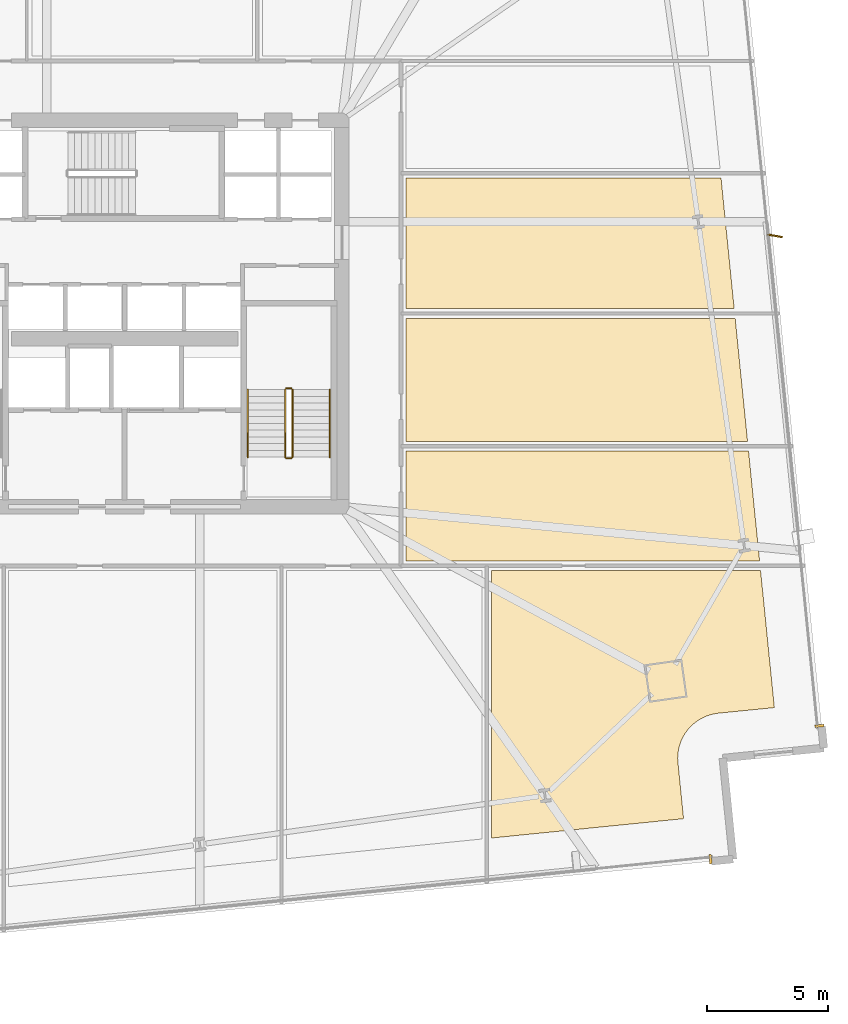
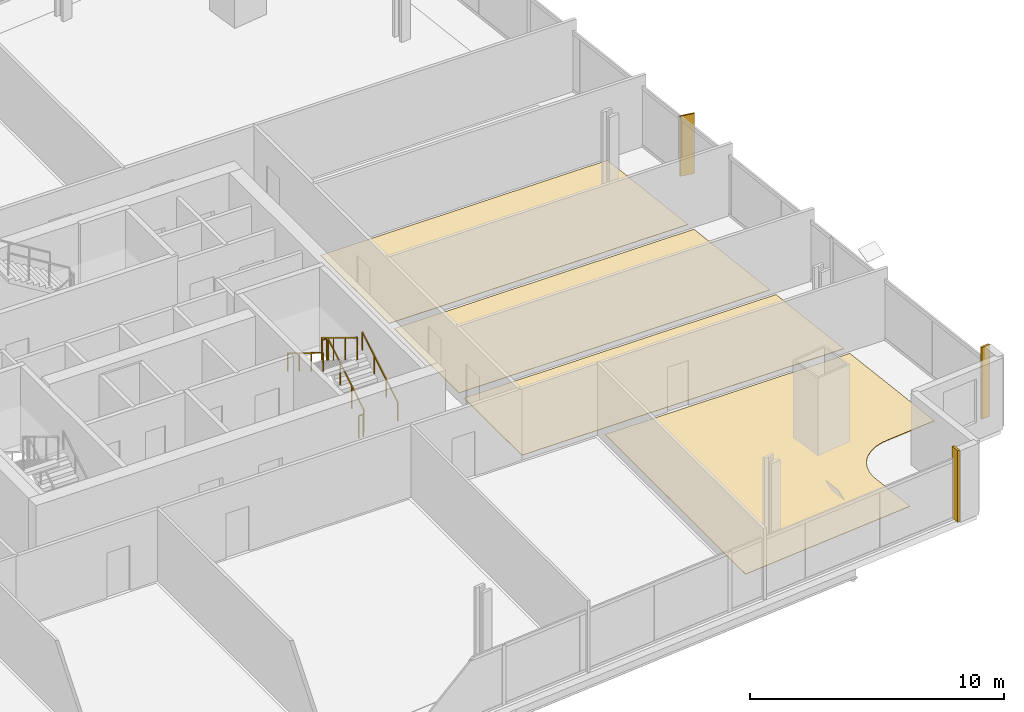
# One storey, part 31 of 33: 6 coverings, 6 railings, 1 shading device.
"""IFC4 building model written with IfcOpenShell, lengths in metres."""

from ifc_helpers import new_model, si_unit, direction, frame, origin, origin_2d, place, context, subcontext, project, spatial, polyline, rectangle, outline, extrude, source, transform, mapped, material, layer, layer_set, type_object, element, save


model = new_model("IFC4")

# Units and contexts
model_context = context("Model", 3, precision=1e-05, world=origin(), true_north=direction((0.0, 1.0)))
body_context = subcontext(model_context, "Body", "Model", "MODEL_VIEW")
ifc_project = project(units=[si_unit("LENGTHUNIT", "METRE"), si_unit("AREAUNIT", "SQUARE_METRE"), si_unit("VOLUMEUNIT", "CUBIC_METRE"), si_unit("PLANEANGLEUNIT", "RADIAN"), si_unit("MASSUNIT", "GRAM", prefix="KILO")], contexts=[model_context])

# Site, building, storey
site_placement = place(None, origin())
site = spatial("IfcSite", under=ifc_project, at=site_placement, CompositionType="ELEMENT")
building_placement = place(site_placement, origin())
building = spatial("IfcBuilding", under=site, at=building_placement, Name="Haldenkirk Collegiate Tower", CompositionType="ELEMENT")
storey_placement = place(building_placement, frame((0.0, 0.0, 47.699951171875)))
storey = spatial("IfcBuildingStorey", under=building, at=storey_placement, Name="L10", CompositionType="ELEMENT", Elevation=47.699951171875)

# Coverings
ifc_material_1 = material(Name="Polished collegiate terrazzo", Category="concrete")
ifc_layer_1 = layer(ifc_material_1, 0.02490234375)
ifc_layer_set_1 = layer_set([ifc_layer_1], Name="Polished collegiate terrazzo")
covering_type_1 = type_object("IfcCoveringType", Name="COV-FLOOR-TERRAZZO", PredefinedType="FLOORING", material=ifc_layer_set_1)
covering_1_placement = place(storey_placement, origin())
element("IfcCovering", 1, at=covering_1_placement, inside=storey, type_object=covering_type_1, Name="L10 academic room finish 06", PredefinedType="FLOORING", context=body_context, shape_type="SweptSolid", body=[
    extrude(outline(polyline([(62.900146484375, 9.68310546875), (60.581787109375, 9.449462890625), (60.575927734375, 9.44873046875), (60.406005859375, 9.423095703125), (60.39453125, 9.4208984375), (60.22802734375, 9.378662109375), (60.216796875, 9.375244140625), (60.055419921875, 9.317138671875), (60.04443359375, 9.3125), (59.889404296875, 9.239013671875), (59.87890625, 9.2333984375), (59.731689453125, 9.14453125), (59.72216796875, 9.137939453125), (59.58447265625, 9.035400390625), (59.5751953125, 9.02783203125), (59.4482421875, 8.912353515625), (59.43994140625, 8.904052734375), (59.324951171875, 8.776611328125), (59.3173828125, 8.767333984375), (59.215576171875, 8.62939453125), (59.208984375, 8.619384765625), (59.120849609375, 8.471923828125), (59.115478515625, 8.46142578125), (59.04248046875, 8.30615234375), (59.037841796875, 8.29541015625), (58.980224609375, 8.13330078125), (58.976806640625, 8.1220703125), (58.935546875, 7.95556640625), (58.933349609375, 7.94384765625), (58.90869140625, 7.77392578125), (58.907470703125, 7.76220703125), (58.8994140625, 7.5908203125), (58.8994140625, 7.5791015625), (58.908203125, 7.407470703125), (58.90869140625, 7.401611328125), (59.14208984375, 5.08349609375), (51.199951171875, 4.28369140625), (51.199951171875, 15.35009765625), (62.32958984375, 15.35009765625), (62.900146484375, 9.68310546875)])), origin(), (0.0, 0.0, 1.0), 0.025146484375),
])
covering_2_placement = place(storey_placement, origin())
element("IfcCovering", 2, at=covering_2_placement, inside=storey, type_object=covering_type_1, Name="L10 academic room finish 10", PredefinedType="FLOORING", context=body_context, shape_type="SweptSolid", body=[
    extrude(outline(polyline([(62.289306640625, 15.75), (47.64990234375, 15.75), (47.64990234375, 20.300048828125), (61.8310546875, 20.300048828125), (62.289306640625, 15.75)])), origin(), (0.0, 0.0, 1.0), 0.025146484375),
])
covering_3_placement = place(storey_placement, origin())
element("IfcCovering", 3, at=covering_3_placement, inside=storey, type_object=covering_type_1, Name="L10 academic room finish 12", PredefinedType="FLOORING", context=body_context, shape_type="SweptSolid", body=[
    extrude(outline(polyline([(61.237060546875, 26.199951171875), (47.64990234375, 26.199951171875), (47.64990234375, 31.60009765625), (60.693359375, 31.60009765625), (61.237060546875, 26.199951171875)])), origin(), (0.0, 0.0, 1.0), 0.025146484375),
])
ifc_material_2 = material(Name="Engineered collegiate oak acoustic flooring", Category="wood")
ifc_layer_2 = layer(ifc_material_2, 0.02197265625)
ifc_layer_set_2 = layer_set([ifc_layer_2], Name="Engineered collegiate oak acoustic flooring")
covering_type_2 = type_object("IfcCoveringType", Name="COV-FLOOR-TIMBER", PredefinedType="FLOORING", material=ifc_layer_set_2)
covering_4_placement = place(storey_placement, origin())
element("IfcCovering", 4, at=covering_4_placement, inside=storey, type_object=covering_type_2, Name="L10 academic room finish 11", PredefinedType="FLOORING", context=body_context, shape_type="SweptSolid", body=[
    extrude(outline(polyline([(61.790771484375, 20.699951171875), (47.64990234375, 20.699951171875), (47.64990234375, 25.800048828125), (61.27734375, 25.800048828125), (61.790771484375, 20.699951171875)])), origin(), (0.0, 0.0, 1.0), 0.02197265625),
])

# Railings
ifc_material_3 = material(Name="Painted architectural tubular steel", Category="steel")
railing_type_1 = type_object("IfcRailingType", Name="RLG-STAIR-GUARD-1100", PredefinedType="BALUSTRADE", material=ifc_material_3)
railing_1_placement = place(storey_placement, frame((42.949951171875, 20.050048828125, 0.17041015625)))
element("IfcRailing", 5, at=railing_1_placement, inside=storey, type_object=railing_type_1, Name="L10 ST-2 stair guard 1", PredefinedType="BALUSTRADE", context=body_context, shape_type="SweptSolid", body=[
    extrude(rectangle(XDim=0.048095703125, YDim=0.048095703125, at=origin_2d()), frame((0.0, 0.0, 1.076171875), z_axis=(0.0, 0.854169791009, 0.51999420009), x_axis=(-1.0, 0.0, 0.0)), (0.0, 0.0, 1.0), 3.278076171875),
    extrude(rectangle(XDim=0.0419921875, YDim=0.0419921875, at=origin_2d()), origin(), (0.0, 0.0, 1.0), 1.052001953125),
    extrude(rectangle(XDim=0.0419921875, YDim=0.0419921875, at=origin_2d()), frame((0.0, 0.933349609375, 0.568115234375)), (0.0, 0.0, 1.0), 1.052001953125),
    extrude(rectangle(XDim=0.0419921875, YDim=0.0419921875, at=origin_2d()), frame((0.0, 1.86669921875, 1.136474609375)), (0.0, 0.0, 1.0), 1.052001953125),
    extrude(rectangle(XDim=0.0419921875, YDim=0.0419921875, at=origin_2d()), frame((0.0, 2.800048828125, 1.70458984375)), (0.0, 0.0, 1.0), 1.052001953125),
])
railing_2_placement = place(storey_placement, frame((42.89990234375, 22.89990234375, 1.875)))
element("IfcRailing", 6, at=railing_2_placement, inside=storey, type_object=railing_type_1, Name="L10 ST-2 stair guard 2", PredefinedType="BALUSTRADE", context=body_context, shape_type="SweptSolid", body=[
    extrude(rectangle(XDim=0.048095703125, YDim=0.048095703125, at=origin_2d()), frame((0.0, 0.0, 1.076171875), z_axis=(-1.0, 0.0, 0.0), x_axis=(0.0, -1.0, 0.0)), (0.0, 0.0, 1.0), 0.199951171875),
    extrude(rectangle(XDim=0.0419921875, YDim=0.0419921875, at=origin_2d()), origin(), (0.0, 0.0, 1.0), 1.052001953125),
    extrude(rectangle(XDim=0.0419921875, YDim=0.0419921875, at=origin_2d()), frame((-0.199951171875, 0.0, 0.0)), (0.0, 0.0, 1.0), 1.052001953125),
])
railing_3_placement = place(storey_placement, frame((42.64990234375, 22.85009765625, 2.04541015625)))
element("IfcRailing", 7, at=railing_3_placement, inside=storey, type_object=railing_type_1, Name="L10 ST-2 stair guard 3", PredefinedType="BALUSTRADE", context=body_context, shape_type="SweptSolid", body=[
    extrude(rectangle(XDim=0.048095703125, YDim=0.048095703125, at=origin_2d()), frame((0.0, 0.0, 1.076171875), z_axis=(0.0, -0.854169791009, 0.51999420009), x_axis=(1.0, 0.0, 0.0)), (0.0, 0.0, 1.0), 3.278076171875),
    extrude(rectangle(XDim=0.0419921875, YDim=0.0419921875, at=origin_2d()), origin(), (0.0, 0.0, 1.0), 1.052001953125),
    extrude(rectangle(XDim=0.0419921875, YDim=0.0419921875, at=origin_2d()), frame((0.0, -0.933349609375, 0.568115234375)), (0.0, 0.0, 1.0), 1.052001953125),
    extrude(rectangle(XDim=0.0419921875, YDim=0.0419921875, at=origin_2d()), frame((0.0, -1.86669921875, 1.136474609375)), (0.0, 0.0, 1.0), 1.052001953125),
    extrude(rectangle(XDim=0.0419921875, YDim=0.0419921875, at=origin_2d()), frame((0.0, -2.800048828125, 1.70458984375)), (0.0, 0.0, 1.0), 1.052001953125),
])
railing_4_placement = place(storey_placement, frame((42.89990234375, 20.0, 0.0)))
element("IfcRailing", 8, at=railing_4_placement, inside=storey, type_object=railing_type_1, Name="L10 ST-2 stair guard 4", PredefinedType="BALUSTRADE", context=body_context, shape_type="SweptSolid", body=[
    extrude(rectangle(XDim=0.048095703125, YDim=0.048095703125, at=origin_2d()), frame((0.0, 0.0, 1.076171875), z_axis=(-1.0, 0.0, 0.0), x_axis=(0.0, -1.0, 0.0)), (0.0, 0.0, 1.0), 0.199951171875),
    extrude(rectangle(XDim=0.0419921875, YDim=0.0419921875, at=origin_2d()), origin(), (0.0, 0.0, 1.0), 1.052001953125),
    extrude(rectangle(XDim=0.0419921875, YDim=0.0419921875, at=origin_2d()), frame((-0.199951171875, 0.0, 0.0)), (0.0, 0.0, 1.0), 1.052001953125),
])
railing_type_2 = type_object("IfcRailingType", Name="RLG-STAIR-HANDRAIL-900", PredefinedType="HANDRAIL", material=ifc_material_3)
railing_5_placement = place(storey_placement, frame((44.5, 20.050048828125, 0.17041015625)))
element("IfcRailing", 9, at=railing_5_placement, inside=storey, type_object=railing_type_2, Name="L10 ST-2 stair handrail 1", PredefinedType="HANDRAIL", context=body_context, shape_type="SweptSolid", body=[
    extrude(rectangle(XDim=0.048095703125, YDim=0.048095703125, at=origin_2d()), frame((0.0, 0.0, 0.8759765625), z_axis=(0.0, 0.854169791009, 0.51999420009), x_axis=(-1.0, 0.0, 0.0)), (0.0, 0.0, 1.0), 3.278076171875),
    extrude(rectangle(XDim=0.0419921875, YDim=0.0419921875, at=origin_2d()), origin(), (0.0, 0.0, 1.0), 0.851806640625),
    extrude(rectangle(XDim=0.0419921875, YDim=0.0419921875, at=origin_2d()), frame((0.0, 0.933349609375, 0.568115234375)), (0.0, 0.0, 1.0), 0.851806640625),
    extrude(rectangle(XDim=0.0419921875, YDim=0.0419921875, at=origin_2d()), frame((0.0, 1.86669921875, 1.136474609375)), (0.0, 0.0, 1.0), 0.851806640625),
    extrude(rectangle(XDim=0.0419921875, YDim=0.0419921875, at=origin_2d()), frame((0.0, 2.800048828125, 1.70458984375)), (0.0, 0.0, 1.0), 0.851806640625),
])
railing_6_placement = place(storey_placement, frame((41.10009765625, 22.85009765625, 2.04541015625)))
element("IfcRailing", 10, at=railing_6_placement, inside=storey, type_object=railing_type_2, Name="L10 ST-2 stair handrail 2", PredefinedType="HANDRAIL", context=body_context, shape_type="SweptSolid", body=[
    extrude(rectangle(XDim=0.048095703125, YDim=0.048095703125, at=origin_2d()), frame((0.0, 0.0, 0.8759765625), z_axis=(0.0, -0.854169791009, 0.51999420009), x_axis=(1.0, 0.0, 0.0)), (0.0, 0.0, 1.0), 3.278076171875),
    extrude(rectangle(XDim=0.0419921875, YDim=0.0419921875, at=origin_2d()), origin(), (0.0, 0.0, 1.0), 0.851806640625),
    extrude(rectangle(XDim=0.0419921875, YDim=0.0419921875, at=origin_2d()), frame((0.0, -0.933349609375, 0.568115234375)), (0.0, 0.0, 1.0), 0.851806640625),
    extrude(rectangle(XDim=0.0419921875, YDim=0.0419921875, at=origin_2d()), frame((0.0, -1.86669921875, 1.136474609375)), (0.0, 0.0, 1.0), 0.851806640625),
    extrude(rectangle(XDim=0.0419921875, YDim=0.0419921875, at=origin_2d()), frame((0.0, -2.800048828125, 1.70458984375)), (0.0, 0.0, 1.0), 0.851806640625),
])

# Coverings
ifc_material_4 = material(Name="Anodised architectural bronze aluminium", Category="aluminium")
ifc_layer_3 = layer(ifc_material_4, 0.06005859375)
ifc_layer_set_3 = layer_set([ifc_layer_3], Name="Anodised architectural bronze aluminium")
covering_type_3 = type_object("IfcCoveringType", Name="COV-CLAD-BRONZE-60", PredefinedType="CLADDING", material=ifc_layer_set_3)
shared_shape_1 = source(origin(), body_context, "Body", "SweptSolid", [
    extrude(rectangle(XDim=0.10009765625, YDim=0.3798828125, at=origin_2d()), origin(), (0.0, 0.0, 1.0), 3.43994140625),
])
for number, where, z_axis, x_axis, name in (
    (11, (60.255615234375, 3.406494140625, 0.0), (0.0, 0.0, 1.0), (-0.994968518251, -0.100188061612, 0.0), "L10 recessed curtain-wall bronze jamb closure SJL"),
    (12, (64.765380859375, 8.926025390625, 0.0), (0.0, 0.0, 1.0), (0.100188061612, -0.994968518251, 0.0), "L10 recessed curtain-wall bronze jamb closure EJR"),
):
    element("IfcCovering", number, at=place(storey_placement, frame(where, z_axis=z_axis, x_axis=x_axis)), inside=storey, type_object=covering_type_3, Name=name, PredefinedType="CLADDING", context=body_context, shape_type="MappedRepresentation", body=[
        mapped(shared_shape_1, transform((0.0, 0.0, 0.0), x_axis=(1.0, 0.0, 0.0), y_axis=(0.0, 1.0, 0.0), z_axis=(0.0, 0.0, 1.0), scale=1.0)),
    ])

# Shading device
ifc_layer_4 = layer(ifc_material_4, 0.06494140625)
ifc_layer_set_4 = layer_set([ifc_layer_4], Name="Anodised architectural bronze aluminium")
shading_device_type = type_object("IfcShadingDeviceType", Name="SHD-FIN-BRONZE-620", PredefinedType="USERDEFINED", material=ifc_layer_set_4)
shared_shape_2 = source(origin(), body_context, "Body", "SweptSolid", [
    extrude(rectangle(XDim=0.6201171875, YDim=0.06494140625, at=origin_2d()), origin(), (0.0, 0.0, 1.0), 2.89111328125),
])
shading_device_placement = place(storey_placement, frame((62.928466796875, 29.214111328125, 0.0), z_axis=(0.0, 0.0, 1.0), x_axis=(0.984040697646, -0.177943545474, 0.0)))
element("IfcShadingDevice", 13, at=shading_device_placement, inside=storey, type_object=shading_device_type, Name="L10 folded bronze solar fin 1", ObjectType="FIN", PredefinedType="USERDEFINED", context=body_context, shape_type="MappedRepresentation", body=[
    mapped(shared_shape_2, transform((0.0, 0.0, 0.0), x_axis=(1.0, 0.0, 0.0), y_axis=(0.0, 1.0, 0.0), z_axis=(0.0, 0.0, 1.0), scale=1.0)),
])

save(model, "model.ifc")
